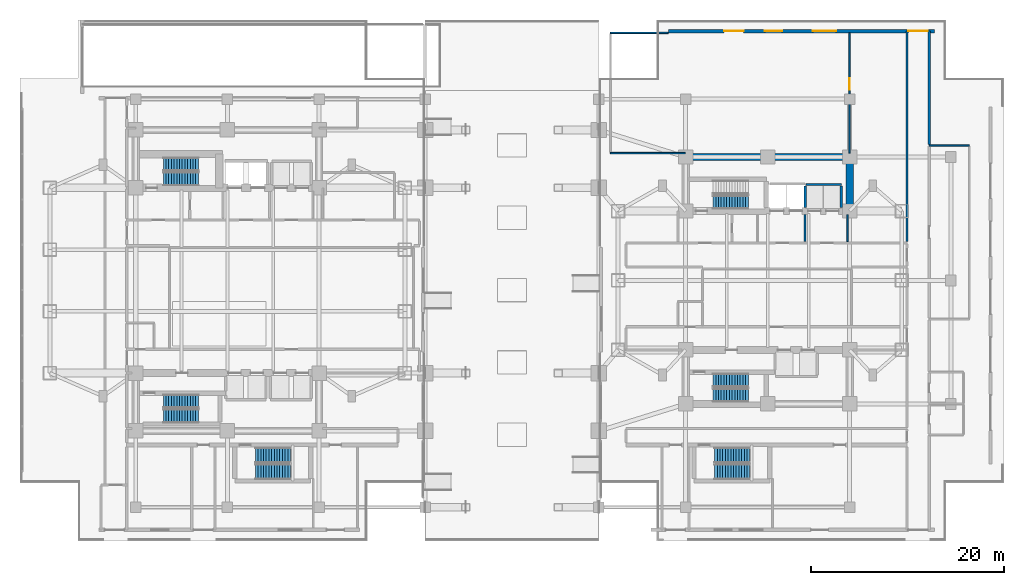
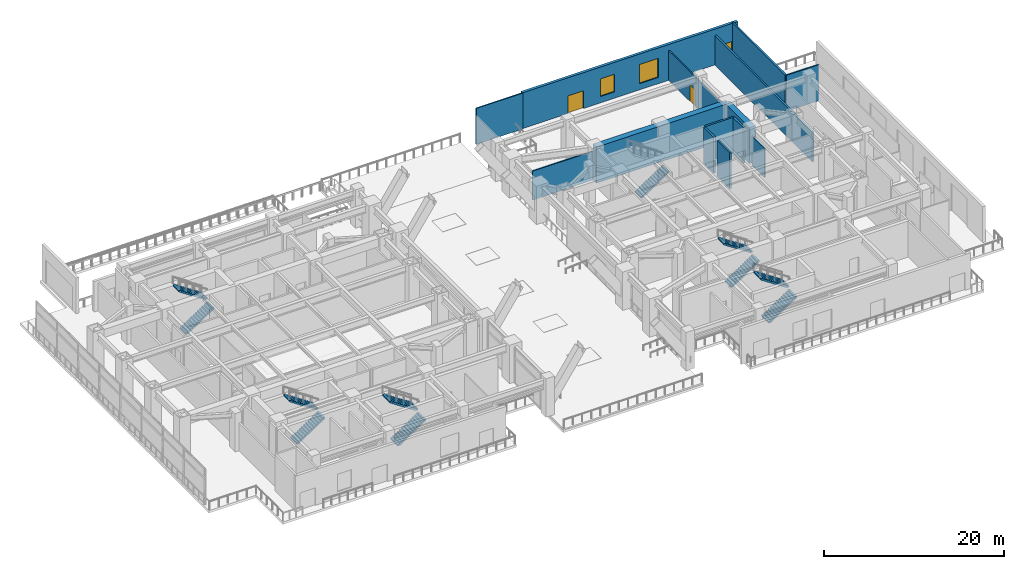
# One storey, part 15 of 27: 14 walls, 11 stair flights, 3 doors, 2 windows, 5 openings, 6 elements without a shape of their own.
"""IFC4 building model written with IfcOpenShell, lengths in metres."""

from ifc_helpers import new_model, si_unit, direction, frame, frame_2d, origin, place, context, subcontext, project, spatial, polyline, rectangle, outline, extrude, material, layer, layer_set, type_object, element, fill, aggregate, save


model = new_model("IFC4")

# Units and contexts
model_context = context("Model", 3, precision=1e-05, world=origin(), true_north=direction((0.0, 1.0)))
body_context = subcontext(model_context, "Body", "Model", "MODEL_VIEW")
ifc_project = project(units=[si_unit("LENGTHUNIT", "METRE"), si_unit("AREAUNIT", "SQUARE_METRE"), si_unit("VOLUMEUNIT", "CUBIC_METRE"), si_unit("PLANEANGLEUNIT", "RADIAN"), si_unit("MASSUNIT", "GRAM", prefix="KILO")], contexts=[model_context])

# Site, building, storey
site_placement = place(None, origin())
site = spatial("IfcSite", under=ifc_project, at=site_placement, CompositionType="ELEMENT")
building_placement = place(site_placement, origin())
building = spatial("IfcBuilding", under=site, at=building_placement, Name="Mirazonda Arch Towers", CompositionType="ELEMENT")
storey_placement = place(building_placement, origin())
storey = spatial("IfcBuildingStorey", under=building, at=storey_placement, Name="L00", CompositionType="ELEMENT", Elevation=0.0)

# Walls
ifc_material_1 = material(Name="Concrete C60/75", Category="concrete")
ifc_layer_1 = layer(ifc_material_1, 0.75, Name="WALL-CORE-750")
ifc_layer_set_1 = layer_set([ifc_layer_1], Name="Concrete C60/75")
wall_type_1 = type_object("IfcWallType", Name="WALL-CORE-750", PredefinedType="SHEAR", material=ifc_layer_set_1)
wall_1_placement = place(storey_placement, frame((68.0, 40.800048828125, 0.0), z_axis=(0.0, 0.0, 1.0), x_axis=(1.0, 0.0, 0.0)))
element("IfcWall", 1, at=wall_1_placement, inside=storey, type_object=wall_type_1, Name="L00 T2N-N Core Shear Wall", PredefinedType="SHEAR", context=body_context, shape_type="SweptSolid", body=[
    extrude(rectangle(XDim=17.0, YDim=0.75, at=frame_2d((8.5, 0.0))), origin(), (0.0, 0.0, 1.0), 4.8798828125),
])
wall_2_placement = place(storey_placement, frame((85.0, 35.199951171875, 0.0), z_axis=(0.0, 0.0, 1.0), x_axis=(0.0, 1.0, 0.0)))
element("IfcWall", 2, at=wall_2_placement, inside=storey, type_object=wall_type_1, Name="L00 T2N-E Core Shear Wall", PredefinedType="SHEAR", context=body_context, shape_type="SweptSolid", body=[
    extrude(rectangle(XDim=5.60009765625, YDim=0.75, at=frame_2d((2.800048828125, 0.0))), origin(), (0.0, 0.0, 1.0), 4.8798828125),
])

# Wall, openings, doors, windows
ifc_material_2 = material(Name="Precast Concrete C40/50", Category="concrete")
ifc_layer_2 = layer(ifc_material_2, 0.35009765625, Name="WALL-EXT-WALL-350")
ifc_layer_set_2 = layer_set([ifc_layer_2], Name="Precast Concrete C40/50")
wall_type_2 = type_object("IfcWallType", Name="WALL-EXT-WALL-350", PredefinedType="SOLIDWALL", material=ifc_layer_set_2)
wall_3_placement = place(storey_placement, frame((66.199951171875, 53.85009765625, 0.0), z_axis=(0.0, 0.0, 1.0), x_axis=(1.0, 0.0, 0.0)))
wall_3 = element("IfcWall", 3, at=wall_3_placement, inside=storey, type_object=wall_type_2, Name="L00 North East Podium Street Wall WL-L00-N-E", PredefinedType="SOLIDWALL", context=body_context, shape_type="SweptSolid", body=[
    extrude(rectangle(XDim=27.60009765625, YDim=0.35009765625, at=frame_2d((13.800048828125, 0.0))), origin(), (0.0, 0.0, 1.0), 4.860107421875),
])
opening_1_placement = place(wall_3_placement, frame((10.0, 0.0, 0.85009765625)))
opening_1 = element("IfcOpeningElement", 4, at=opening_1_placement, cuts=wall_3, Name="Opening WN-128", PredefinedType="OPENING", context=body_context, shape_type="SweptSolid", body=[
    extrude(rectangle(XDim=1.800048828125, YDim=2.39990234375, at=frame_2d((0.89990234375, 1.199951171875))), frame((0.0, 0.18505859375, 0.0), z_axis=(0.0, -1.0, 0.0), x_axis=(1.0, 0.0, 0.0)), (0.0, 0.0, 1.0), 0.3701171875),
])
opening_2_placement = place(wall_3_placement, frame((15.0, 0.0, 0.85009765625)))
opening_2 = element("IfcOpeningElement", 5, at=opening_2_placement, cuts=wall_3, Name="Opening WN-111", PredefinedType="OPENING", context=body_context, shape_type="SweptSolid", body=[
    extrude(rectangle(XDim=2.39990234375, YDim=2.60009765625, at=frame_2d((1.199951171875, 1.300048828125))), frame((0.0, 0.18505859375, 0.0), z_axis=(0.0, -1.0, 0.0), x_axis=(1.0, 0.0, 0.0)), (0.0, 0.0, 1.0), 0.3701171875),
])
opening_3_placement = place(wall_3_placement, frame((5.800048828125, 0.0, 0.0)))
opening_3 = element("IfcOpeningElement", 6, at=opening_3_placement, cuts=wall_3, Name="Opening DR-101", PredefinedType="OPENING", context=body_context, shape_type="SweptSolid", body=[
    extrude(rectangle(XDim=2.0, YDim=2.39990234375, at=frame_2d((1.0, 1.199951171875))), frame((0.0, 0.18505859375, 0.0), z_axis=(0.0, -1.0, 0.0), x_axis=(1.0, 0.0, 0.0)), (0.0, 0.0, 1.0), 0.3701171875),
])
opening_4_placement = place(wall_3_placement, frame((24.89990234375, 0.0, 0.0)))
opening_4 = element("IfcOpeningElement", 7, at=opening_4_placement, cuts=wall_3, Name="Opening DR-101", PredefinedType="OPENING", context=body_context, shape_type="SweptSolid", body=[
    extrude(rectangle(XDim=2.0, YDim=2.39990234375, at=frame_2d((1.0, 1.199951171875))), frame((0.0, 0.18505859375, 0.0), z_axis=(0.0, -1.0, 0.0), x_axis=(1.0, 0.0, 0.0)), (0.0, 0.0, 1.0), 0.3701171875),
])
ifc_material_3 = material(Name="Architectural Brushed Steel S355", Category="steel")
door_type_1 = type_object("IfcDoorType", Name="DOOR-EXIT-EXT-2000", OperationType="NOTDEFINED", PredefinedType="DOOR", material=ifc_material_3)
door_1_placement = place(opening_3_placement, origin())
door_1 = element("IfcDoor", 8, at=door_1_placement, inside=storey, type_object=door_type_1, Name="L00 Exterior Door DR-EXIT-N3", OperationType="SINGLE_SWING_LEFT", OverallHeight=2.39990234375, OverallWidth=2.0, PredefinedType="DOOR", context=body_context, shape_type="SweptSolid", body=[
    extrude(rectangle(XDim=2.0, YDim=2.39990234375, at=frame_2d((1.0, 1.199951171875))), frame((0.0, 0.02490234375, 0.0), z_axis=(0.0, -1.0, 0.0), x_axis=(1.0, 0.0, 0.0)), (0.0, 0.0, 1.0), 0.050048828125),
])
fill(opening_3, door_1)
door_2_placement = place(opening_4_placement, origin())
door_2 = element("IfcDoor", 9, at=door_2_placement, inside=storey, type_object=door_type_1, Name="L00 Exterior Door DR-EXIT-N4", OperationType="SINGLE_SWING_RIGHT", OverallHeight=2.39990234375, OverallWidth=2.0, PredefinedType="DOOR", context=body_context, shape_type="SweptSolid", body=[
    extrude(rectangle(XDim=2.0, YDim=2.39990234375, at=frame_2d((1.0, 1.199951171875))), frame((0.0, 0.02490234375, 0.0), z_axis=(0.0, -1.0, 0.0), x_axis=(1.0, 0.0, 0.0)), (0.0, 0.0, 1.0), 0.050048828125),
])
fill(opening_4, door_2)
ifc_material_4 = material(Name="Insulated Low-E Solar Glass", Category="glass")
window_type_1 = type_object("IfcWindowType", Name="WIN-POD-1800x2400", PartitioningType="SINGLE_PANEL", PredefinedType="WINDOW", material=ifc_material_4)
window_1_placement = place(opening_1_placement, origin())
window_1 = element("IfcWindow", 10, at=window_1_placement, inside=storey, type_object=window_type_1, Name="L00 Punched Facade Window WN-L00-NE1", OverallHeight=2.39990234375, OverallWidth=1.800048828125, PartitioningType="SINGLE_PANEL", PredefinedType="WINDOW", context=body_context, shape_type="SweptSolid", body=[
    extrude(rectangle(XDim=1.800048828125, YDim=2.39990234375, at=frame_2d((0.89990234375, 1.199951171875))), frame((0.0, 0.030029296875, 0.0), z_axis=(0.0, -1.0, 0.0), x_axis=(1.0, 0.0, 0.0)), (0.0, 0.0, 1.0), 0.06005859375),
])
fill(opening_1, window_1)
window_type_2 = type_object("IfcWindowType", Name="WIN-POD-2400x2600", PartitioningType="SINGLE_PANEL", PredefinedType="WINDOW", material=ifc_material_4)
window_2_placement = place(opening_2_placement, origin())
window_2 = element("IfcWindow", 11, at=window_2_placement, inside=storey, type_object=window_type_2, Name="L00 Punched Facade Window WN-L00-NE2", OverallHeight=2.60009765625, OverallWidth=2.39990234375, PartitioningType="SINGLE_PANEL", PredefinedType="WINDOW", context=body_context, shape_type="SweptSolid", body=[
    extrude(rectangle(XDim=2.39990234375, YDim=2.60009765625, at=frame_2d((1.199951171875, 1.300048828125))), frame((0.0, 0.030029296875, 0.0), z_axis=(0.0, -1.0, 0.0), x_axis=(1.0, 0.0, 0.0)), (0.0, 0.0, 1.0), 0.06005859375),
])
fill(opening_2, window_2)

# Walls
ifc_material_5 = material(Name="Concrete C40/50", Category="concrete")
ifc_layer_3 = layer(ifc_material_5, 0.219970703125, Name="WALL-FFL-220")
ifc_layer_set_3 = layer_set([ifc_layer_3], Name="Concrete C40/50")
wall_type_3 = type_object("IfcWallType", Name="WALL-FFL-220", PredefinedType="SOLIDWALL", material=ifc_layer_set_3)
wall_4_placement = place(storey_placement, frame((80.3798828125, 32.050048828125, 0.0), z_axis=(0.0, 0.0, 1.0), x_axis=(0.0, 1.0, 0.0)))
element("IfcWall", 12, at=wall_4_placement, inside=storey, type_object=wall_type_3, Name="L00 Interior Partition 106", PredefinedType="SOLIDWALL", context=body_context, shape_type="SweptSolid", body=[
    extrude(rectangle(XDim=2.780029296875, YDim=0.219970703125, at=frame_2d((1.39013671875, 0.0))), origin(), (0.0, 0.0, 1.0), 4.8798828125),
])
wall_5_placement = place(storey_placement, frame((90.949951171875, 32.02001953125, 0.0), z_axis=(0.0, 0.0, 1.0), x_axis=(0.0, 1.0, 0.0)))
element("IfcWall", 13, at=wall_5_placement, inside=storey, type_object=wall_type_3, Name="L00 Interior Partition 119", PredefinedType="SOLIDWALL", context=body_context, shape_type="SweptSolid", body=[
    extrude(rectangle(XDim=21.830078125, YDim=0.219970703125, at=frame_2d((10.9150390625, 0.0))), origin(), (0.0, 0.0, 1.0), 4.01611328125),
])
wall_6_placement = place(storey_placement, frame((93.25, 42.0849609375, 0.0), z_axis=(0.0, 0.0, 1.0), x_axis=(0.0, 1.0, 0.0)))
element("IfcWall", 14, at=wall_6_placement, inside=storey, type_object=wall_type_3, Name="L00 Interior Partition 125", PredefinedType="SOLIDWALL", context=body_context, shape_type="SweptSolid", body=[
    extrude(rectangle(XDim=11.76513671875, YDim=0.219970703125, at=frame_2d((5.882568359375, 0.0))), origin(), (0.0, 0.0, 1.0), 4.8798828125),
])
ifc_material_6 = material(Name="Fire-Rated Gypsum Stud Partition")
ifc_layer_4 = layer(ifc_material_6, 0.14990234375, Name="WALL-PART-CORR-150")
ifc_layer_set_4 = layer_set([ifc_layer_4], Name="Fire-Rated Gypsum Stud Partition")
wall_type_4 = type_object("IfcWallType", Name="WALL-PART-CORR-150", PredefinedType="PARTITIONING", material=ifc_layer_set_4)
wall_7_placement = place(storey_placement, frame((60.199951171875, 41.199951171875, 0.0), z_axis=(0.0, 0.0, 1.0), x_axis=(1.0, 0.0, 0.0)))
element("IfcWall", 15, at=wall_7_placement, inside=storey, type_object=wall_type_4, Name="L00 Interior Partition 042", PredefinedType="PARTITIONING", context=body_context, shape_type="SweptSolid", body=[
    extrude(rectangle(XDim=7.780029296875, YDim=0.14990234375, at=frame_2d((3.89013671875, 0.0))), origin(), (0.0, 0.0, 1.0), 3.924072265625),
])
wall_8_placement = place(storey_placement, frame((93.25, 42.0, 0.0), z_axis=(0.0, 0.0, 1.0), x_axis=(1.0, 0.0, 0.0)))
element("IfcWall", 16, at=wall_8_placement, inside=storey, type_object=wall_type_4, Name="L00 Interior Partition 043", PredefinedType="PARTITIONING", context=body_context, shape_type="SweptSolid", body=[
    extrude(rectangle(XDim=4.14990234375, YDim=0.14990234375, at=frame_2d((2.074951171875, 0.0))), origin(), (0.0, 0.0, 1.0), 4.8798828125),
])
wall_9_placement = place(storey_placement, frame((60.199951171875, 53.669921875, 0.0), z_axis=(0.0, 0.0, 1.0), x_axis=(1.0, 0.0, 0.0)))
element("IfcWall", 17, at=wall_9_placement, inside=storey, type_object=wall_type_4, Name="L00 Interior Partition 046", PredefinedType="PARTITIONING", context=body_context, shape_type="SweptSolid", body=[
    extrude(rectangle(XDim=5.97998046875, YDim=0.14990234375, at=frame_2d((2.989990234375, 0.0))), origin(), (0.0, 0.0, 1.0), 4.8798828125),
])
wall_10_placement = place(storey_placement, frame((84.800048828125, 32.02001953125, 0.0), z_axis=(0.0, 0.0, 1.0), x_axis=(0.0, 1.0, 0.0)))
element("IfcWall", 18, at=wall_10_placement, inside=storey, type_object=wall_type_4, Name="L00 Interior Partition 110", PredefinedType="PARTITIONING", context=body_context, shape_type="SweptSolid", body=[
    extrude(rectangle(XDim=2.81005859375, YDim=0.14990234375, at=frame_2d((1.405029296875, 0.0))), origin(), (0.0, 0.0, 1.0), 3.945068359375),
])

# Wall, opening, door
wall_11_placement = place(storey_placement, frame((85.0, 41.199951171875, 0.0), z_axis=(0.0, 0.0, 1.0), x_axis=(0.0, 1.0, 0.0)))
wall_11 = element("IfcWall", 19, at=wall_11_placement, inside=storey, type_object=wall_type_4, Name="L00 Interior Partition 111", PredefinedType="PARTITIONING", context=body_context, shape_type="SweptSolid", body=[
    extrude(rectangle(XDim=12.469970703125, YDim=0.14990234375, at=frame_2d((6.23486328125, 0.0))), origin(), (0.0, 0.0, 1.0), 4.01611328125),
])
opening_5_placement = place(wall_11_placement, frame((6.5849609375, 0.0, 0.0)))
opening_5 = element("IfcOpeningElement", 20, at=opening_5_placement, cuts=wall_11, Name="Opening DR-117", PredefinedType="OPENING", context=body_context, shape_type="SweptSolid", body=[
    extrude(rectangle(XDim=1.199951171875, YDim=2.25, at=frame_2d((0.60009765625, 1.125))), frame((0.0, 0.0849609375, 0.0), z_axis=(0.0, -1.0, 0.0), x_axis=(1.0, 0.0, 0.0)), (0.0, 0.0, 1.0), 0.169921875),
])
door_type_2 = type_object("IfcDoorType", Name="DOOR-FFL-FD90-1200", OperationType="NOTDEFINED", PredefinedType="DOOR", material=ifc_material_3)
door_3_placement = place(opening_5_placement, origin())
door_3 = element("IfcDoor", 21, at=door_3_placement, inside=storey, type_object=door_type_2, Name="L00 Archway Brasserie & Espresso Salon Door", OperationType="SINGLE_SWING_RIGHT", OverallHeight=2.25, OverallWidth=1.199951171875, PredefinedType="DOOR", context=body_context, shape_type="SweptSolid", body=[
    extrude(rectangle(XDim=1.199951171875, YDim=2.25, at=frame_2d((0.60009765625, 1.125))), frame((0.0, 0.02490234375, 0.0), z_axis=(0.0, -1.0, 0.0), x_axis=(1.0, 0.0, 0.0)), (0.0, 0.0, 1.0), 0.050048828125),
])
fill(opening_5, door_3)

# Walls
ifc_layer_5 = layer(ifc_material_5, 0.25, Name="WALL-SHAFT-250")
ifc_layer_set_5 = layer_set([ifc_layer_5], Name="Concrete C40/50")
wall_type_5 = type_object("IfcWallType", Name="WALL-SHAFT-250", PredefinedType="SOLIDWALL", material=ifc_layer_set_5)
wall_12_placement = place(storey_placement, frame((80.5, 37.949951171875, 0.0), z_axis=(0.0, 0.0, 1.0), x_axis=(1.0, 0.0, 0.0)))
element("IfcWall", 22, at=wall_12_placement, inside=storey, type_object=wall_type_5, Name="L00 Interior Partition 036", PredefinedType="SOLIDWALL", context=body_context, shape_type="SweptSolid", body=[
    extrude(rectangle(XDim=3.64990234375, YDim=0.25, at=frame_2d((1.824951171875, 0.0))), origin(), (0.0, 0.0, 1.0), 4.8798828125),
])
for number, where, z_axis, x_axis, name in (
    (23, (80.3798828125, 35.570068359375, 0.0), (0.0, 0.0, 1.0), (0.0, 1.0, 0.0), "L00 Interior Partition 107"),
    (24, (84.14990234375, 35.570068359375, 0.0), (0.0, 0.0, 1.0), (0.0, 1.0, 0.0), "L00 Interior Partition 109"),
):
    element("IfcWall", number, at=place(storey_placement, frame(where, z_axis=z_axis, x_axis=x_axis)), inside=storey, type_object=wall_type_5, Name=name, PredefinedType="SOLIDWALL", context=body_context, shape_type="SweptSolid", body=[
        extrude(rectangle(XDim=2.244873046875, YDim=0.25, at=frame_2d((1.12255859375, 0.0))), origin(), (0.0, 0.0, 1.0), 4.8798828125),
    ])

# Stair, stair flights
stair_type_1 = type_object("IfcStairType", Name="STAIR-CORE-1400", PredefinedType="HALF_TURN_STAIR", material=ifc_material_5)
stair_1_placement = place(storey_placement, origin())
stair_1 = element("IfcStair", 25, at=stair_1_placement, inside=storey, type_object=stair_type_1, Name="L00 Protected Exit Stair ST-T1N", PredefinedType="HALF_TURN_STAIR")
stair_flight_type_1 = type_object("IfcStairFlightType", Name="FLIGHT-1400", PredefinedType="STRAIGHT", material=ifc_material_5)
stair_flight_1_placement = place(storey_placement, frame((13.85009765625, 38.52001953125, 0.0), z_axis=(0.0, 0.0, 1.0), x_axis=(1.0, 0.0, 0.0)))
stair_flight_1 = element("IfcStairFlight", 26, at=stair_flight_1_placement, type_object=stair_flight_type_1, Name="ST-T1N flight 1", NumberOfRisers=14, NumberOfTreads=13, PredefinedType="STRAIGHT", RiserHeight=0.185714286, TreadLength=0.28, context=body_context, shape_type="SweptSolid", body=[
    extrude(outline(polyline([(0.0, 0.0), (0.0, 0.185791015625), (0.280029296875, 0.185791015625), (0.280029296875, 0.371337890625), (0.56005859375, 0.371337890625), (0.56005859375, 0.55712890625), (0.840087890625, 0.55712890625), (0.840087890625, 0.742919921875), (1.1201171875, 0.742919921875), (1.1201171875, 0.928466796875), (1.39990234375, 0.928466796875), (1.39990234375, 1.1142578125), (1.679931640625, 1.1142578125), (1.679931640625, 1.300048828125), (1.9599609375, 1.300048828125), (1.9599609375, 1.485595703125), (2.239990234375, 1.485595703125), (2.239990234375, 1.67138671875), (2.52001953125, 1.67138671875), (2.52001953125, 1.857177734375), (2.800048828125, 1.857177734375), (2.800048828125, 2.04296875), (3.080078125, 2.04296875), (3.080078125, 2.228515625), (3.360107421875, 2.228515625), (3.360107421875, 2.414306640625), (3.639892578125, 2.414306640625), (3.639892578125, 2.60009765625), (3.639892578125, 2.222412109375), (0.289306640625, 0.0), (0.0, 0.0)])), frame((0.0, 0.699951171875, 0.0), z_axis=(0.0, -1.0, 0.0), x_axis=(1.0, 0.0, 0.0)), (0.0, 0.0, 1.0), 1.39990234375),
])
stair_flight_2_placement = place(storey_placement, frame((17.489990234375, 40.06005859375, 2.60009765625), z_axis=(0.0, 0.0, 1.0), x_axis=(-1.0, 0.0, 0.0)))
stair_flight_2 = element("IfcStairFlight", 27, at=stair_flight_2_placement, type_object=stair_flight_type_1, Name="ST-T1N flight 2", NumberOfRisers=14, NumberOfTreads=13, PredefinedType="STRAIGHT", RiserHeight=0.185714286, TreadLength=0.28, context=body_context, shape_type="SweptSolid", body=[
    extrude(outline(polyline([(0.0, 0.0), (0.0, 0.185791015625), (0.280029296875, 0.185791015625), (0.280029296875, 0.371337890625), (0.56005859375, 0.371337890625), (0.56005859375, 0.55712890625), (0.840087890625, 0.55712890625), (0.840087890625, 0.742919921875), (1.1201171875, 0.742919921875), (1.1201171875, 0.928466796875), (1.39990234375, 0.928466796875), (1.39990234375, 1.1142578125), (1.679931640625, 1.1142578125), (1.679931640625, 1.300048828125), (1.9599609375, 1.300048828125), (1.9599609375, 1.485595703125), (2.239990234375, 1.485595703125), (2.239990234375, 1.67138671875), (2.52001953125, 1.67138671875), (2.52001953125, 1.857177734375), (2.800048828125, 1.857177734375), (2.800048828125, 2.04296875), (3.080078125, 2.04296875), (3.080078125, 2.228515625), (3.360107421875, 2.228515625), (3.360107421875, 2.414306640625), (3.639892578125, 2.414306640625), (3.639892578125, 2.60009765625), (3.639892578125, 2.222412109375), (0.289306640625, 0.0), (0.0, 0.0)])), frame((0.0, 0.699951171875, 0.0), z_axis=(0.0, -1.0, 0.0), x_axis=(1.0, 0.0, 0.0)), (0.0, 0.0, 1.0), 1.39990234375),
])
aggregate(stair_1, [stair_flight_1, stair_flight_2])

stair_2_placement = place(storey_placement, origin())
stair_2 = element("IfcStair", 28, at=stair_2_placement, inside=storey, type_object=stair_type_1, Name="L00 Protected Exit Stair ST-T1S", PredefinedType="HALF_TURN_STAIR")
stair_flight_3_placement = place(storey_placement, frame((13.85009765625, 13.949951171875, 0.0), z_axis=(0.0, 0.0, 1.0), x_axis=(1.0, 0.0, 0.0)))
stair_flight_3 = element("IfcStairFlight", 29, at=stair_flight_3_placement, type_object=stair_flight_type_1, Name="ST-T1S flight 1", NumberOfRisers=14, NumberOfTreads=13, PredefinedType="STRAIGHT", RiserHeight=0.185714286, TreadLength=0.28, context=body_context, shape_type="SweptSolid", body=[
    extrude(outline(polyline([(0.0, 0.0), (0.0, 0.185791015625), (0.280029296875, 0.185791015625), (0.280029296875, 0.371337890625), (0.56005859375, 0.371337890625), (0.56005859375, 0.55712890625), (0.840087890625, 0.55712890625), (0.840087890625, 0.742919921875), (1.1201171875, 0.742919921875), (1.1201171875, 0.928466796875), (1.39990234375, 0.928466796875), (1.39990234375, 1.1142578125), (1.679931640625, 1.1142578125), (1.679931640625, 1.300048828125), (1.9599609375, 1.300048828125), (1.9599609375, 1.485595703125), (2.239990234375, 1.485595703125), (2.239990234375, 1.67138671875), (2.52001953125, 1.67138671875), (2.52001953125, 1.857177734375), (2.800048828125, 1.857177734375), (2.800048828125, 2.04296875), (3.080078125, 2.04296875), (3.080078125, 2.228515625), (3.360107421875, 2.228515625), (3.360107421875, 2.414306640625), (3.639892578125, 2.414306640625), (3.639892578125, 2.60009765625), (3.639892578125, 2.222412109375), (0.289306640625, 0.0), (0.0, 0.0)])), frame((0.0, 0.699951171875, 0.0), z_axis=(0.0, -1.0, 0.0), x_axis=(1.0, 0.0, 0.0)), (0.0, 0.0, 1.0), 1.39990234375),
])
stair_flight_4_placement = place(storey_placement, frame((17.489990234375, 15.489990234375, 2.60009765625), z_axis=(0.0, 0.0, 1.0), x_axis=(-1.0, 0.0, 0.0)))
stair_flight_4 = element("IfcStairFlight", 30, at=stair_flight_4_placement, type_object=stair_flight_type_1, Name="ST-T1S flight 2", NumberOfRisers=14, NumberOfTreads=13, PredefinedType="STRAIGHT", RiserHeight=0.185714286, TreadLength=0.28, context=body_context, shape_type="SweptSolid", body=[
    extrude(outline(polyline([(0.0, 0.0), (0.0, 0.185791015625), (0.280029296875, 0.185791015625), (0.280029296875, 0.371337890625), (0.56005859375, 0.371337890625), (0.56005859375, 0.55712890625), (0.840087890625, 0.55712890625), (0.840087890625, 0.742919921875), (1.1201171875, 0.742919921875), (1.1201171875, 0.928466796875), (1.39990234375, 0.928466796875), (1.39990234375, 1.1142578125), (1.679931640625, 1.1142578125), (1.679931640625, 1.300048828125), (1.9599609375, 1.300048828125), (1.9599609375, 1.485595703125), (2.239990234375, 1.485595703125), (2.239990234375, 1.67138671875), (2.52001953125, 1.67138671875), (2.52001953125, 1.857177734375), (2.800048828125, 1.857177734375), (2.800048828125, 2.04296875), (3.080078125, 2.04296875), (3.080078125, 2.228515625), (3.360107421875, 2.228515625), (3.360107421875, 2.414306640625), (3.639892578125, 2.414306640625), (3.639892578125, 2.60009765625), (3.639892578125, 2.222412109375), (0.289306640625, 0.0), (0.0, 0.0)])), frame((0.0, 0.699951171875, 0.0), z_axis=(0.0, -1.0, 0.0), x_axis=(1.0, 0.0, 0.0)), (0.0, 0.0, 1.0), 1.39990234375),
])
aggregate(stair_2, [stair_flight_3, stair_flight_4])

# Stair, stair flight
stair_3_placement = place(storey_placement, origin())
stair_3 = element("IfcStair", 31, at=stair_3_placement, inside=storey, type_object=stair_type_1, Name="L00 Protected Exit Stair ST-T2N", PredefinedType="HALF_TURN_STAIR")
stair_flight_5_placement = place(storey_placement, frame((70.85009765625, 36.1201171875, 0.0), z_axis=(0.0, 0.0, 1.0), x_axis=(1.0, 0.0, 0.0)))
stair_flight_5 = element("IfcStairFlight", 32, at=stair_flight_5_placement, type_object=stair_flight_type_1, Name="ST-T2N flight 1", NumberOfRisers=14, NumberOfTreads=13, PredefinedType="STRAIGHT", RiserHeight=0.185714286, TreadLength=0.28, context=body_context, shape_type="SweptSolid", body=[
    extrude(outline(polyline([(0.0, 0.0), (0.0, 0.185791015625), (0.280029296875, 0.185791015625), (0.280029296875, 0.371337890625), (0.56005859375, 0.371337890625), (0.56005859375, 0.55712890625), (0.840087890625, 0.55712890625), (0.840087890625, 0.742919921875), (1.1201171875, 0.742919921875), (1.1201171875, 0.928466796875), (1.39990234375, 0.928466796875), (1.39990234375, 1.1142578125), (1.679931640625, 1.1142578125), (1.679931640625, 1.300048828125), (1.9599609375, 1.300048828125), (1.9599609375, 1.485595703125), (2.239990234375, 1.485595703125), (2.239990234375, 1.67138671875), (2.52001953125, 1.67138671875), (2.52001953125, 1.857177734375), (2.800048828125, 1.857177734375), (2.800048828125, 2.04296875), (3.080078125, 2.04296875), (3.080078125, 2.228515625), (3.360107421875, 2.228515625), (3.360107421875, 2.414306640625), (3.639892578125, 2.414306640625), (3.639892578125, 2.60009765625), (3.639892578125, 2.222412109375), (0.289306640625, 0.0), (0.0, 0.0)])), frame((0.0, 0.699951171875, 0.0), z_axis=(0.0, -1.0, 0.0), x_axis=(1.0, 0.0, 0.0)), (0.0, 0.0, 1.0), 1.39990234375),
])
aggregate(stair_3, [stair_flight_5])

# Stair, stair flights
stair_4_placement = place(storey_placement, origin())
stair_4 = element("IfcStair", 33, at=stair_4_placement, inside=storey, type_object=stair_type_1, Name="L00 Protected Exit Stair ST-T2S", PredefinedType="HALF_TURN_STAIR")
stair_flight_6_placement = place(storey_placement, frame((70.85009765625, 16.1201171875, 0.0), z_axis=(0.0, 0.0, 1.0), x_axis=(1.0, 0.0, 0.0)))
stair_flight_6 = element("IfcStairFlight", 34, at=stair_flight_6_placement, type_object=stair_flight_type_1, Name="ST-T2S flight 1", NumberOfRisers=14, NumberOfTreads=13, PredefinedType="STRAIGHT", RiserHeight=0.185714286, TreadLength=0.28, context=body_context, shape_type="SweptSolid", body=[
    extrude(outline(polyline([(0.0, 0.0), (0.0, 0.185791015625), (0.280029296875, 0.185791015625), (0.280029296875, 0.371337890625), (0.56005859375, 0.371337890625), (0.56005859375, 0.55712890625), (0.840087890625, 0.55712890625), (0.840087890625, 0.742919921875), (1.1201171875, 0.742919921875), (1.1201171875, 0.928466796875), (1.39990234375, 0.928466796875), (1.39990234375, 1.1142578125), (1.679931640625, 1.1142578125), (1.679931640625, 1.300048828125), (1.9599609375, 1.300048828125), (1.9599609375, 1.485595703125), (2.239990234375, 1.485595703125), (2.239990234375, 1.67138671875), (2.52001953125, 1.67138671875), (2.52001953125, 1.857177734375), (2.800048828125, 1.857177734375), (2.800048828125, 2.04296875), (3.080078125, 2.04296875), (3.080078125, 2.228515625), (3.360107421875, 2.228515625), (3.360107421875, 2.414306640625), (3.639892578125, 2.414306640625), (3.639892578125, 2.60009765625), (3.639892578125, 2.222412109375), (0.289306640625, 0.0), (0.0, 0.0)])), frame((0.0, 0.699951171875, 0.0), z_axis=(0.0, -1.0, 0.0), x_axis=(1.0, 0.0, 0.0)), (0.0, 0.0, 1.0), 1.39990234375),
])
stair_flight_7_placement = place(storey_placement, frame((74.489990234375, 17.659912109375, 2.60009765625), z_axis=(0.0, 0.0, 1.0), x_axis=(-1.0, 0.0, 0.0)))
stair_flight_7 = element("IfcStairFlight", 35, at=stair_flight_7_placement, type_object=stair_flight_type_1, Name="ST-T2S flight 2", NumberOfRisers=14, NumberOfTreads=13, PredefinedType="STRAIGHT", RiserHeight=0.185714286, TreadLength=0.28, context=body_context, shape_type="SweptSolid", body=[
    extrude(outline(polyline([(0.0, 0.0), (0.0, 0.185791015625), (0.280029296875, 0.185791015625), (0.280029296875, 0.371337890625), (0.56005859375, 0.371337890625), (0.56005859375, 0.55712890625), (0.840087890625, 0.55712890625), (0.840087890625, 0.742919921875), (1.1201171875, 0.742919921875), (1.1201171875, 0.928466796875), (1.39990234375, 0.928466796875), (1.39990234375, 1.1142578125), (1.679931640625, 1.1142578125), (1.679931640625, 1.300048828125), (1.9599609375, 1.300048828125), (1.9599609375, 1.485595703125), (2.239990234375, 1.485595703125), (2.239990234375, 1.67138671875), (2.52001953125, 1.67138671875), (2.52001953125, 1.857177734375), (2.800048828125, 1.857177734375), (2.800048828125, 2.04296875), (3.080078125, 2.04296875), (3.080078125, 2.228515625), (3.360107421875, 2.228515625), (3.360107421875, 2.414306640625), (3.639892578125, 2.414306640625), (3.639892578125, 2.60009765625), (3.639892578125, 2.222412109375), (0.289306640625, 0.0), (0.0, 0.0)])), frame((0.0, 0.699951171875, 0.0), z_axis=(0.0, -1.0, 0.0), x_axis=(1.0, 0.0, 0.0)), (0.0, 0.0, 1.0), 1.39990234375),
])
aggregate(stair_4, [stair_flight_6, stair_flight_7])

stair_type_2 = type_object("IfcStairType", Name="STAIR-POD-1600", PredefinedType="HALF_TURN_STAIR", material=ifc_material_5)
stair_5_placement = place(storey_placement, origin())
stair_5 = element("IfcStair", 36, at=stair_5_placement, inside=storey, type_object=stair_type_2, Name="L00 Protected Exit Stair ST-POD1", PredefinedType="HALF_TURN_STAIR")
stair_flight_type_2 = type_object("IfcStairFlightType", Name="FLIGHT-1600", PredefinedType="STRAIGHT", material=ifc_material_5)
stair_flight_8_placement = place(storey_placement, frame((23.39990234375, 8.14990234375, 0.0), z_axis=(0.0, 0.0, 1.0), x_axis=(1.0, 0.0, 0.0)))
stair_flight_8 = element("IfcStairFlight", 37, at=stair_flight_8_placement, type_object=stair_flight_type_2, Name="ST-POD1 flight 1", NumberOfRisers=14, NumberOfTreads=13, PredefinedType="STRAIGHT", RiserHeight=0.185714286, TreadLength=0.28, context=body_context, shape_type="SweptSolid", body=[
    extrude(outline(polyline([(0.0, 0.0), (0.0, 0.185791015625), (0.280029296875, 0.185791015625), (0.280029296875, 0.371337890625), (0.56005859375, 0.371337890625), (0.56005859375, 0.55712890625), (0.840087890625, 0.55712890625), (0.840087890625, 0.742919921875), (1.1201171875, 0.742919921875), (1.1201171875, 0.928466796875), (1.39990234375, 0.928466796875), (1.39990234375, 1.1142578125), (1.679931640625, 1.1142578125), (1.679931640625, 1.300048828125), (1.9599609375, 1.300048828125), (1.9599609375, 1.485595703125), (2.239990234375, 1.485595703125), (2.239990234375, 1.67138671875), (2.52001953125, 1.67138671875), (2.52001953125, 1.857177734375), (2.800048828125, 1.857177734375), (2.800048828125, 2.04296875), (3.080078125, 2.04296875), (3.080078125, 2.228515625), (3.360107421875, 2.228515625), (3.360107421875, 2.414306640625), (3.639892578125, 2.414306640625), (3.639892578125, 2.60009765625), (3.639892578125, 2.198486328125), (0.325439453125, 0.0), (0.0, 0.0)])), frame((0.0, 0.800048828125, 0.0), z_axis=(0.0, -1.0, 0.0), x_axis=(1.0, 0.0, 0.0)), (0.0, 0.0, 1.0), 1.60009765625),
])
stair_flight_9_placement = place(storey_placement, frame((27.0400390625, 9.889892578125, 2.60009765625), z_axis=(0.0, 0.0, 1.0), x_axis=(-1.0, 0.0, 0.0)))
stair_flight_9 = element("IfcStairFlight", 38, at=stair_flight_9_placement, type_object=stair_flight_type_2, Name="ST-POD1 flight 2", NumberOfRisers=14, NumberOfTreads=13, PredefinedType="STRAIGHT", RiserHeight=0.185714286, TreadLength=0.28, context=body_context, shape_type="SweptSolid", body=[
    extrude(outline(polyline([(0.0, 0.0), (0.0, 0.185791015625), (0.280029296875, 0.185791015625), (0.280029296875, 0.371337890625), (0.56005859375, 0.371337890625), (0.56005859375, 0.55712890625), (0.840087890625, 0.55712890625), (0.840087890625, 0.742919921875), (1.1201171875, 0.742919921875), (1.1201171875, 0.928466796875), (1.39990234375, 0.928466796875), (1.39990234375, 1.1142578125), (1.679931640625, 1.1142578125), (1.679931640625, 1.300048828125), (1.9599609375, 1.300048828125), (1.9599609375, 1.485595703125), (2.239990234375, 1.485595703125), (2.239990234375, 1.67138671875), (2.52001953125, 1.67138671875), (2.52001953125, 1.857177734375), (2.800048828125, 1.857177734375), (2.800048828125, 2.04296875), (3.080078125, 2.04296875), (3.080078125, 2.228515625), (3.360107421875, 2.228515625), (3.360107421875, 2.414306640625), (3.639892578125, 2.414306640625), (3.639892578125, 2.60009765625), (3.639892578125, 2.198486328125), (0.325439453125, 0.0), (0.0, 0.0)])), frame((0.0, 0.800048828125, 0.0), z_axis=(0.0, -1.0, 0.0), x_axis=(1.0, 0.0, 0.0)), (0.0, 0.0, 1.0), 1.60009765625),
])
aggregate(stair_5, [stair_flight_8, stair_flight_9])

stair_6_placement = place(storey_placement, origin())
stair_6 = element("IfcStair", 39, at=stair_6_placement, inside=storey, type_object=stair_type_2, Name="L00 Protected Exit Stair ST-POD2", PredefinedType="HALF_TURN_STAIR")
stair_flight_10_placement = place(storey_placement, frame((71.0, 8.14990234375, 0.0), z_axis=(0.0, 0.0, 1.0), x_axis=(1.0, 0.0, 0.0)))
stair_flight_10 = element("IfcStairFlight", 40, at=stair_flight_10_placement, type_object=stair_flight_type_2, Name="ST-POD2 flight 1", NumberOfRisers=14, NumberOfTreads=13, PredefinedType="STRAIGHT", RiserHeight=0.185714286, TreadLength=0.28, context=body_context, shape_type="SweptSolid", body=[
    extrude(outline(polyline([(0.0, 0.0), (0.0, 0.185791015625), (0.280029296875, 0.185791015625), (0.280029296875, 0.371337890625), (0.56005859375, 0.371337890625), (0.56005859375, 0.55712890625), (0.840087890625, 0.55712890625), (0.840087890625, 0.742919921875), (1.1201171875, 0.742919921875), (1.1201171875, 0.928466796875), (1.39990234375, 0.928466796875), (1.39990234375, 1.1142578125), (1.679931640625, 1.1142578125), (1.679931640625, 1.300048828125), (1.9599609375, 1.300048828125), (1.9599609375, 1.485595703125), (2.239990234375, 1.485595703125), (2.239990234375, 1.67138671875), (2.52001953125, 1.67138671875), (2.52001953125, 1.857177734375), (2.800048828125, 1.857177734375), (2.800048828125, 2.04296875), (3.080078125, 2.04296875), (3.080078125, 2.228515625), (3.360107421875, 2.228515625), (3.360107421875, 2.414306640625), (3.639892578125, 2.414306640625), (3.639892578125, 2.60009765625), (3.639892578125, 2.198486328125), (0.325439453125, 0.0), (0.0, 0.0)])), frame((0.0, 0.800048828125, 0.0), z_axis=(0.0, -1.0, 0.0), x_axis=(1.0, 0.0, 0.0)), (0.0, 0.0, 1.0), 1.60009765625),
])
stair_flight_11_placement = place(storey_placement, frame((74.639892578125, 9.889892578125, 2.60009765625), z_axis=(0.0, 0.0, 1.0), x_axis=(-1.0, 0.0, 0.0)))
stair_flight_11 = element("IfcStairFlight", 41, at=stair_flight_11_placement, type_object=stair_flight_type_2, Name="ST-POD2 flight 2", NumberOfRisers=14, NumberOfTreads=13, PredefinedType="STRAIGHT", RiserHeight=0.185714286, TreadLength=0.28, context=body_context, shape_type="SweptSolid", body=[
    extrude(outline(polyline([(0.0, 0.0), (0.0, 0.185791015625), (0.280029296875, 0.185791015625), (0.280029296875, 0.371337890625), (0.56005859375, 0.371337890625), (0.56005859375, 0.55712890625), (0.840087890625, 0.55712890625), (0.840087890625, 0.742919921875), (1.1201171875, 0.742919921875), (1.1201171875, 0.928466796875), (1.39990234375, 0.928466796875), (1.39990234375, 1.1142578125), (1.679931640625, 1.1142578125), (1.679931640625, 1.300048828125), (1.9599609375, 1.300048828125), (1.9599609375, 1.485595703125), (2.239990234375, 1.485595703125), (2.239990234375, 1.67138671875), (2.52001953125, 1.67138671875), (2.52001953125, 1.857177734375), (2.800048828125, 1.857177734375), (2.800048828125, 2.04296875), (3.080078125, 2.04296875), (3.080078125, 2.228515625), (3.360107421875, 2.228515625), (3.360107421875, 2.414306640625), (3.639892578125, 2.414306640625), (3.639892578125, 2.60009765625), (3.639892578125, 2.198486328125), (0.325439453125, 0.0), (0.0, 0.0)])), frame((0.0, 0.800048828125, 0.0), z_axis=(0.0, -1.0, 0.0), x_axis=(1.0, 0.0, 0.0)), (0.0, 0.0, 1.0), 1.60009765625),
])
aggregate(stair_6, [stair_flight_10, stair_flight_11])

save(model, "model.ifc")
